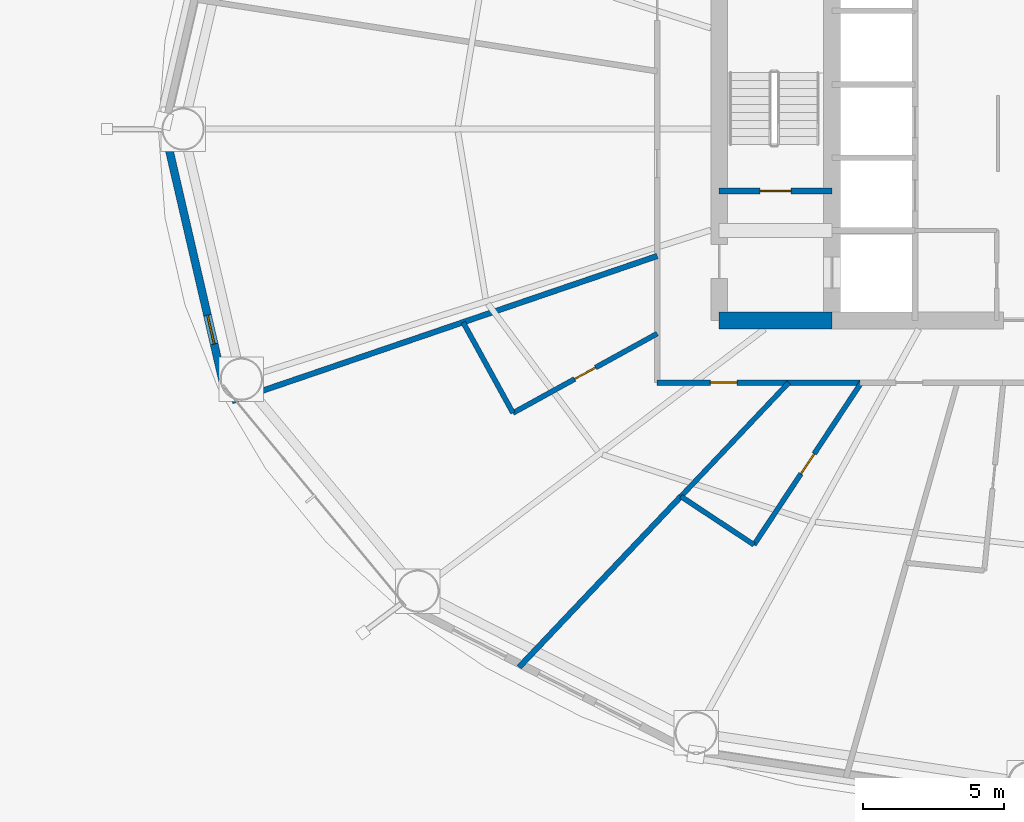
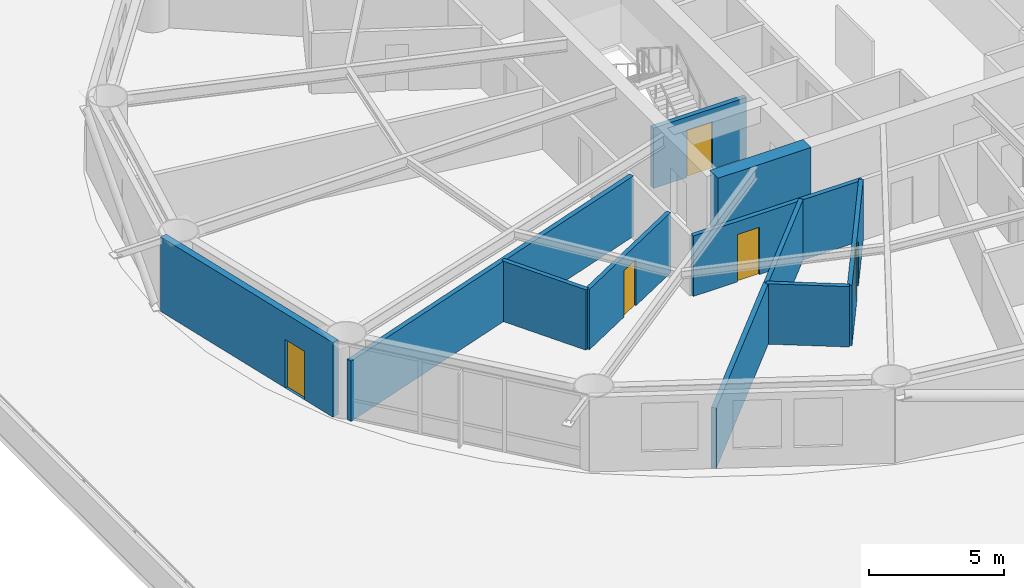
# One storey, part 21 of 30: 11 walls, 5 doors, 5 openings.
"""IFC4 building model written with IfcOpenShell, lengths in metres."""

from ifc_helpers import new_model, si_unit, direction, frame, frame_2d, origin, place, context, subcontext, project, spatial, rectangle, extrude, material, layer, layer_set, type_object, element, fill, save


model = new_model("IFC4")

# Units and contexts
model_context = context("Model", 3, precision=1e-05, world=origin(), true_north=direction((0.0, 1.0)))
body_context = subcontext(model_context, "Body", "Model", "MODEL_VIEW")
ifc_project = project(units=[si_unit("LENGTHUNIT", "METRE"), si_unit("AREAUNIT", "SQUARE_METRE"), si_unit("VOLUMEUNIT", "CUBIC_METRE"), si_unit("PLANEANGLEUNIT", "RADIAN"), si_unit("MASSUNIT", "GRAM", prefix="KILO")], contexts=[model_context])

# Site, building, storey
site_placement = place(None, origin())
site = spatial("IfcSite", under=ifc_project, at=site_placement, CompositionType="ELEMENT")
building_placement = place(site_placement, origin())
building = spatial("IfcBuilding", under=site, at=building_placement, Name="Sarneth Arch Tower", CompositionType="ELEMENT")
storey_placement = place(building_placement, frame((0.0, 0.0, 28.199951171875)))
storey = spatial("IfcBuildingStorey", under=building, at=storey_placement, Name="L05", CompositionType="ELEMENT", Elevation=28.199951171875)

# Wall
ifc_material_1 = material(Name="Concrete C60/75", Category="concrete")
ifc_layer_1 = layer(ifc_material_1, 0.60009765625)
ifc_layer_set_1 = layer_set([ifc_layer_1], Name="Concrete C60/75")
wall_type_1 = type_object("IfcWallType", Name="WALL-CORE-600", PredefinedType="SHEAR", material=ifc_layer_set_1)
wall_1_placement = place(storey_placement, frame((37.0, 35.199951171875, 0.0), z_axis=(0.0, 0.0, 1.0), x_axis=(1.0, 0.0, 0.0)))
element("IfcWall", 1, at=wall_1_placement, inside=storey, type_object=wall_type_1, Name="L05 Core shear wall S-W", PredefinedType="SHEAR", context=body_context, shape_type="SweptSolid", body=[
    extrude(rectangle(XDim=4.0, YDim=0.60009765625, at=frame_2d((2.0, 0.0))), origin(), (0.0, 0.0, 1.0), 3.380126953125),
])

# Wall, opening, door
ifc_material_2 = material(Name="Double steel-stud corridor fire wall", Category="steel")
ifc_layer_2 = layer(ifc_material_2, 0.18994140625)
ifc_layer_set_2 = layer_set([ifc_layer_2], Name="Double steel-stud corridor fire wall")
wall_type_2 = type_object("IfcWallType", Name="WALL-CORR-190", PredefinedType="PARTITIONING", material=ifc_layer_set_2)
wall_2_placement = place(storey_placement, frame((42.083251953125, 33.0, 0.0), z_axis=(0.0, 0.0, 1.0), x_axis=(-1.0, 0.0, 0.0)))
wall_2 = element("IfcWall", 2, at=wall_2_placement, inside=storey, type_object=wall_type_2, Name="L05 Interior partition W-L05-TP-015", PredefinedType="PARTITIONING", context=body_context, shape_type="SweptSolid", body=[
    extrude(rectangle(XDim=7.283203125, YDim=0.18994140625, at=frame_2d((3.6416015625, 0.0))), origin(), (0.0, 0.0, 1.0), 2.739990234375),
])
opening_1_placement = place(wall_2_placement, frame((4.45068359375, 0.0, 0.0)))
opening_1 = element("IfcOpeningElement", 3, at=opening_1_placement, cuts=wall_2, Name="Opening FD-09", PredefinedType="OPENING", context=body_context, shape_type="SweptSolid", body=[
    extrude(rectangle(XDim=0.949951171875, YDim=2.14990234375, at=frame_2d((0.47509765625, 1.074951171875))), frame((0.0, 0.10498046875, 0.0), z_axis=(0.0, -1.0, 0.0), x_axis=(1.0, 0.0, 0.0)), (0.0, 0.0, 1.0), 0.2099609375),
])
ifc_material_3 = material(Name="Hardwood timber hotel entrance fire door", Category="wood")
door_type_1 = type_object("IfcDoorType", Name="DR-FD60-950", OperationType="SINGLE_SWING_RIGHT", PredefinedType="DOOR", material=ifc_material_3)
door_1_placement = place(opening_1_placement, origin())
door_1 = element("IfcDoor", 4, at=door_1_placement, inside=storey, type_object=door_type_1, Name="L05 Interior door DR-L05-KEY-08", OperationType="SINGLE_SWING_LEFT", OverallHeight=2.14990234375, OverallWidth=0.949951171875, PredefinedType="DOOR", context=body_context, shape_type="SweptSolid", body=[
    extrude(rectangle(XDim=0.949951171875, YDim=2.14990234375, at=frame_2d((0.47509765625, 1.074951171875))), frame((0.0, 0.02490234375, 0.0), z_axis=(0.0, -1.0, 0.0), x_axis=(1.0, 0.0, 0.0)), (0.0, 0.0, 1.0), 0.050048828125),
])
fill(opening_1, door_1)

ifc_material_4 = material(Name="Extruded terracotta rainscreen on Concrete C40/50 backing", Category="masonry")
ifc_layer_3 = layer(ifc_material_4, 0.280029296875)
ifc_layer_set_3 = layer_set([ifc_layer_3], Name="Extruded terracotta rainscreen on Concrete C40/50 backing")
wall_type_3 = type_object("IfcWallType", Name="WALL-EXT-TERRA-280", PredefinedType="SOLIDWALL", material=ifc_layer_set_3)
wall_3_placement = place(storey_placement, frame((17.30419921875, 42.0, 0.0), z_axis=(0.0, 0.0, 1.0), x_axis=(0.225454452941, -0.974253709076, 0.0)))
wall_3 = element("IfcWall", 5, at=wall_3_placement, inside=storey, type_object=wall_type_3, Name="L05 Terracotta perimeter wall 09", PredefinedType="SOLIDWALL", context=body_context, shape_type="SweptSolid", body=[
    extrude(rectangle(XDim=9.3798828125, YDim=0.280029296875, at=frame_2d((4.68994140625, 0.0))), origin(), (0.0, 0.0, 1.0), 3.380126953125),
])
opening_2_placement = place(wall_3_placement, frame((6.78515625, 0.0, 0.0)))
opening_2 = element("IfcOpeningElement", 6, at=opening_2_placement, cuts=wall_3, Name="Opening BD-4", PredefinedType="OPENING", context=body_context, shape_type="SweptSolid", body=[
    extrude(rectangle(XDim=1.050048828125, YDim=2.199951171875, at=frame_2d((0.52490234375, 1.10009765625))), frame((0.0, 0.14990234375, 0.0), z_axis=(0.0, -1.0, 0.0), x_axis=(1.0, 0.0, 0.0)), (0.0, 0.0, 1.0), 0.300048828125),
])
ifc_material_5 = material(Name="Thermally broken Aluminium 6063-T6 and laminated safety glass", Category="aluminium")
door_type_2 = type_object("IfcDoorType", Name="DR-BALC-GLZ-1050", OperationType="SINGLE_SWING_RIGHT", PredefinedType="DOOR", material=ifc_material_5)
door_2_placement = place(opening_2_placement, origin())
door_2 = element("IfcDoor", 7, at=door_2_placement, inside=storey, type_object=door_type_2, Name="L05 Maintenance roof access door 09", OperationType="SINGLE_SWING_RIGHT", OverallHeight=2.199951171875, OverallWidth=1.050048828125, PredefinedType="DOOR", context=body_context, shape_type="SweptSolid", body=[
    extrude(rectangle(XDim=1.050048828125, YDim=2.199951171875, at=frame_2d((0.52490234375, 1.10009765625))), frame((0.0, 0.02490234375, 0.0), z_axis=(0.0, -1.0, 0.0), x_axis=(1.0, 0.0, 0.0)), (0.0, 0.0, 1.0), 0.050048828125),
])
fill(opening_2, door_2)

ifc_material_6 = material(Name="Moisture-resistant plumbing chase wall", Category="gypsum")
ifc_layer_4 = layer(ifc_material_6, 0.179931640625)
ifc_layer_set_4 = layer_set([ifc_layer_4], Name="Moisture-resistant plumbing chase wall")
wall_type_4 = type_object("IfcWallType", Name="WALL-PLUMB-180", PredefinedType="PLUMBINGWALL", material=ifc_layer_set_4)
wall_4_placement = place(storey_placement, frame((42.044921875, 33.0, 0.0), z_axis=(0.0, 0.0, 1.0), x_axis=(-0.551832909025, -0.833954699319, 0.0)))
wall_4 = element("IfcWall", 8, at=wall_4_placement, inside=storey, type_object=wall_type_4, Name="L05 Interior partition W-L05-TP-057", PredefinedType="PLUMBINGWALL", context=body_context, shape_type="SweptSolid", body=[
    extrude(rectangle(XDim=6.90478515625, YDim=0.179931640625, at=frame_2d((3.452392578125, 0.0))), origin(), (0.0, 0.0, 1.0), 2.739990234375),
])
opening_3_placement = place(wall_4_placement, frame((3.02734375, 0.0, 0.0)))
opening_3 = element("IfcOpeningElement", 9, at=opening_3_placement, cuts=wall_4, Name="Opening ID-02", PredefinedType="OPENING", context=body_context, shape_type="SweptSolid", body=[
    extrude(rectangle(XDim=0.85009765625, YDim=2.10009765625, at=frame_2d((0.425048828125, 1.050048828125))), frame((0.0, 0.099853515625, 0.0), z_axis=(0.0, -1.0, 0.0), x_axis=(1.0, 0.0, 0.0)), (0.0, 0.0, 1.0), 0.199951171875),
])
ifc_material_7 = material(Name="Moisture-resistant bathroom timber door", Category="wood")
door_type_3 = type_object("IfcDoorType", Name="DR-INT-850", OperationType="SINGLE_SWING_RIGHT", PredefinedType="DOOR", material=ifc_material_7)
door_3_placement = place(opening_3_placement, origin())
door_3 = element("IfcDoor", 10, at=door_3_placement, inside=storey, type_object=door_type_3, Name="L05 Interior door DR-L05-ENS-09", OperationType="SINGLE_SWING_LEFT", OverallHeight=2.10009765625, OverallWidth=0.85009765625, PredefinedType="DOOR", context=body_context, shape_type="SweptSolid", body=[
    extrude(rectangle(XDim=0.85009765625, YDim=2.10009765625, at=frame_2d((0.425048828125, 1.050048828125))), frame((0.0, 0.02490234375, 0.0), z_axis=(0.0, -1.0, 0.0), x_axis=(1.0, 0.0, 0.0)), (0.0, 0.0, 1.0), 0.050048828125),
])
fill(opening_3, door_3)

wall_5_placement = place(storey_placement, frame((29.67919921875, 31.921630859375, 0.0), z_axis=(0.0, 0.0, 1.0), x_axis=(0.876185038284, 0.481974873503, 0.0)))
wall_5 = element("IfcWall", 11, at=wall_5_placement, inside=storey, type_object=wall_type_4, Name="L05 Interior partition W-L05-TP-054", PredefinedType="PLUMBINGWALL", context=body_context, shape_type="SweptSolid", body=[
    extrude(rectangle(XDim=5.844482421875, YDim=0.179931640625, at=frame_2d((2.92236328125, 0.0))), origin(), (0.0, 0.0, 1.0), 2.739990234375),
])
opening_4_placement = place(wall_5_placement, frame((2.497314453125, 0.0, 0.0)))
opening_4 = element("IfcOpeningElement", 12, at=opening_4_placement, cuts=wall_5, Name="Opening ID-02", PredefinedType="OPENING", context=body_context, shape_type="SweptSolid", body=[
    extrude(rectangle(XDim=0.85009765625, YDim=2.10009765625, at=frame_2d((0.425048828125, 1.050048828125))), frame((0.0, 0.099853515625, 0.0), z_axis=(0.0, -1.0, 0.0), x_axis=(1.0, 0.0, 0.0)), (0.0, 0.0, 1.0), 0.199951171875),
])
door_4_placement = place(opening_4_placement, origin())
door_4 = element("IfcDoor", 13, at=door_4_placement, inside=storey, type_object=door_type_3, Name="L05 Interior door DR-L05-ENS-08", OperationType="SINGLE_SWING_LEFT", OverallHeight=2.10009765625, OverallWidth=0.85009765625, PredefinedType="DOOR", context=body_context, shape_type="SweptSolid", body=[
    extrude(rectangle(XDim=0.85009765625, YDim=2.10009765625, at=frame_2d((0.425048828125, 1.050048828125))), frame((0.0, 0.02490234375, 0.0), z_axis=(0.0, -1.0, 0.0), x_axis=(1.0, 0.0, 0.0)), (0.0, 0.0, 1.0), 0.050048828125),
])
fill(opening_4, door_4)

# Walls
wall_6_placement = place(storey_placement, frame((35.640380859375, 28.958251953125, 0.0), z_axis=(0.0, 0.0, 1.0), x_axis=(0.687867465085, 0.725836311077, 0.0)))
element("IfcWall", 14, at=wall_6_placement, inside=storey, type_object=wall_type_4, Name="L05 Interior partition W-L05-TP-056", PredefinedType="PLUMBINGWALL", context=body_context, shape_type="SweptSolid", body=[
    extrude(rectangle(XDim=5.568359375, YDim=0.179931640625, at=frame_2d((2.7841796875, 0.0))), origin(), (0.0, 0.0, 1.0), 2.739990234375),
])
wall_7_placement = place(storey_placement, frame((27.90771484375, 35.14208984375, 0.0), z_axis=(0.0, 0.0, 1.0), x_axis=(0.481967195945, -0.876189261537, 0.0)))
element("IfcWall", 15, at=wall_7_placement, inside=storey, type_object=wall_type_4, Name="L05 Interior partition W-L05-TP-053", PredefinedType="PLUMBINGWALL", context=body_context, shape_type="SweptSolid", body=[
    extrude(rectangle(XDim=3.675537109375, YDim=0.179931640625, at=frame_2d((1.837890625, 0.0))), origin(), (0.0, 0.0, 1.0), 2.739990234375),
])
wall_8_placement = place(storey_placement, frame((38.234619140625, 27.24169921875, 0.0), z_axis=(0.0, 0.0, 1.0), x_axis=(-0.833965136837, 0.551817135055, 0.0)))
element("IfcWall", 16, at=wall_8_placement, inside=storey, type_object=wall_type_4, Name="L05 Interior partition W-L05-TP-058", PredefinedType="PLUMBINGWALL", context=body_context, shape_type="SweptSolid", body=[
    extrude(rectangle(XDim=3.11083984375, YDim=0.179931640625, at=frame_2d((1.555419921875, 0.0))), origin(), (0.0, 0.0, 1.0), 2.739990234375),
])

# Wall, opening, door
ifc_material_8 = material(Name="Aerated concrete blockwork C25/30", Category="masonry")
ifc_layer_5 = layer(ifc_material_8, 0.199951171875)
ifc_layer_set_5 = layer_set([ifc_layer_5], Name="Aerated concrete blockwork C25/30")
wall_type_5 = type_object("IfcWallType", Name="WALL-SHAFT-200", PredefinedType="SOLIDWALL", material=ifc_layer_set_5)
wall_9_placement = place(storey_placement, frame((37.0, 39.800048828125, 0.0), z_axis=(0.0, 0.0, 1.0), x_axis=(1.0, 0.0, 0.0)))
wall_9 = element("IfcWall", 17, at=wall_9_placement, inside=storey, type_object=wall_type_5, Name="L05 Interior partition W-L05-ST1-S", PredefinedType="SOLIDWALL", context=body_context, shape_type="SweptSolid", body=[
    extrude(rectangle(XDim=4.0, YDim=0.199951171875, at=frame_2d((2.0, 0.0))), origin(), (0.0, 0.0, 1.0), 2.739990234375),
])
opening_5_placement = place(wall_9_placement, frame((1.449951171875, 0.0, 0.0)))
opening_5 = element("IfcOpeningElement", 18, at=opening_5_placement, cuts=wall_9, Name="Opening FD-03", PredefinedType="OPENING", context=body_context, shape_type="SweptSolid", body=[
    extrude(rectangle(XDim=1.10009765625, YDim=2.14990234375, at=frame_2d((0.550048828125, 1.074951171875))), frame((0.0, 0.10986328125, 0.0), z_axis=(0.0, -1.0, 0.0), x_axis=(1.0, 0.0, 0.0)), (0.0, 0.0, 1.0), 0.219970703125),
])
ifc_material_9 = material(Name="Galvanised Steel S275 fire door set", Category="steel")
door_type_4 = type_object("IfcDoorType", Name="DR-FD90-1100", OperationType="SINGLE_SWING_LEFT", PredefinedType="DOOR", material=ifc_material_9)
door_5_placement = place(opening_5_placement, origin())
door_5 = element("IfcDoor", 19, at=door_5_placement, inside=storey, type_object=door_type_4, Name="L05 Interior door DR-L05-ST1", OperationType="SINGLE_SWING_LEFT", OverallHeight=2.14990234375, OverallWidth=1.10009765625, PredefinedType="DOOR", context=body_context, shape_type="SweptSolid", body=[
    extrude(rectangle(XDim=1.10009765625, YDim=2.14990234375, at=frame_2d((0.550048828125, 1.074951171875))), frame((0.0, 0.02490234375, 0.0), z_axis=(0.0, -1.0, 0.0), x_axis=(1.0, 0.0, 0.0)), (0.0, 0.0, 1.0), 0.050048828125),
])
fill(opening_5, door_5)

# Walls
ifc_material_10 = material(Name="Double steel-stud acoustic drywall", Category="steel")
ifc_layer_6 = layer(ifc_material_10, 0.199951171875)
ifc_layer_set_6 = layer_set([ifc_layer_6], Name="Double steel-stud acoustic drywall")
wall_type_6 = type_object("IfcWallType", Name="WALL-UNIT-200", PredefinedType="PARTITIONING", material=ifc_layer_set_6)
wall_10_placement = place(storey_placement, frame((34.800048828125, 37.494384765625, 0.0), z_axis=(0.0, 0.0, 1.0), x_axis=(-0.946390715793, -0.32302416792, 0.0)))
element("IfcWall", 20, at=wall_10_placement, inside=storey, type_object=wall_type_6, Name="L05 Interior partition W-L05-TP-051", PredefinedType="PARTITIONING", context=body_context, shape_type="SweptSolid", body=[
    extrude(rectangle(XDim=15.951904296875, YDim=0.199951171875, at=frame_2d((7.97607421875, 0.0))), origin(), (0.0, 0.0, 1.0), 2.739990234375),
])
wall_11_placement = place(storey_placement, frame((29.89697265625, 22.897705078125, 0.0), z_axis=(0.0, 0.0, 1.0), x_axis=(0.687860615602, 0.725842802198, 0.0)))
element("IfcWall", 21, at=wall_11_placement, inside=storey, type_object=wall_type_6, Name="L05 Interior partition W-L05-TP-055", PredefinedType="PARTITIONING", context=body_context, shape_type="SweptSolid", body=[
    extrude(rectangle(XDim=8.349609375, YDim=0.199951171875, at=frame_2d((4.1748046875, 0.0))), origin(), (0.0, 0.0, 1.0), 2.739990234375),
])

save(model, "model.ifc")
